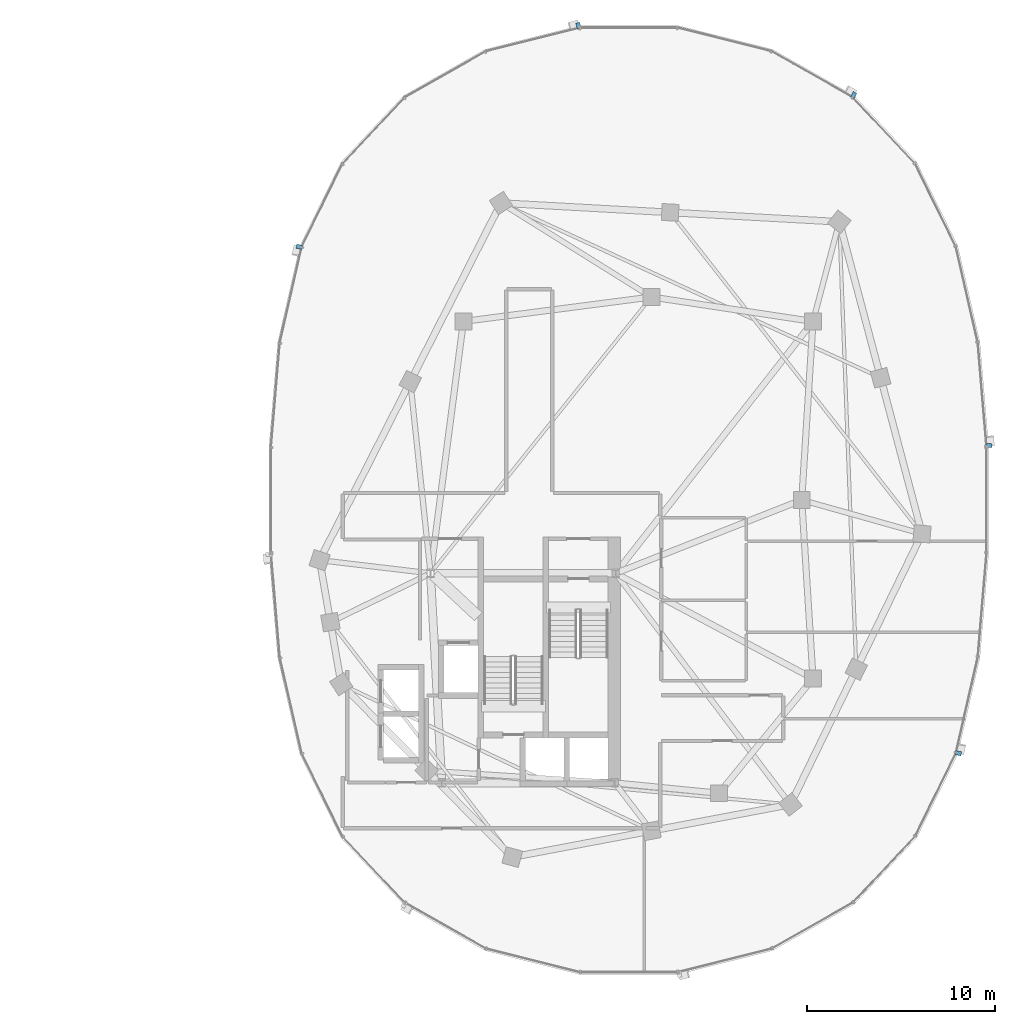
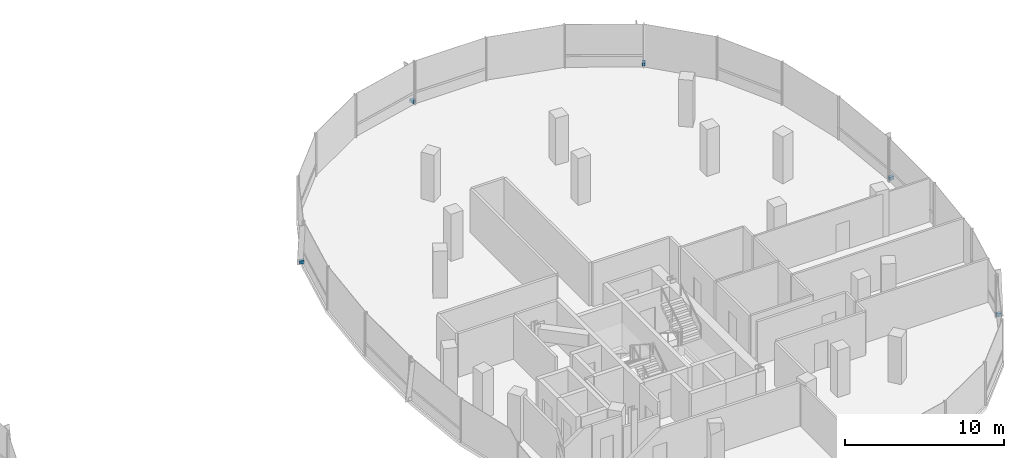
# One storey, part 20 of 25: 5 discrete accessories.
"""IFC4 building model written with IfcOpenShell, lengths in metres."""

from ifc_helpers import new_model, si_unit, direction, frame, origin, origin_2d, place, context, subcontext, project, spatial, rectangle, extrude, material, type_object, element, save


model = new_model("IFC4")

# Units and contexts
model_context = context("Model", 3, precision=1e-05, world=origin(), true_north=direction((0.0, 1.0)))
body_context = subcontext(model_context, "Body", "Model", "MODEL_VIEW")
ifc_project = project(units=[si_unit("LENGTHUNIT", "METRE"), si_unit("AREAUNIT", "SQUARE_METRE"), si_unit("VOLUMEUNIT", "CUBIC_METRE"), si_unit("PLANEANGLEUNIT", "RADIAN"), si_unit("MASSUNIT", "GRAM", prefix="KILO"), si_unit("THERMODYNAMICTEMPERATUREUNIT", "KELVIN"), si_unit("POWERUNIT", "WATT")], contexts=[model_context])

# Site, building, storey
site_placement = place(None, origin())
site = spatial("IfcSite", under=ifc_project, at=site_placement, CompositionType="ELEMENT")
building_placement = place(site_placement, origin())
building = spatial("IfcBuilding", under=site, at=building_placement, Name="Cundina Bronze Exchange", CompositionType="ELEMENT")
storey_placement = place(building_placement, frame((0.0, 0.0, 199.0)))
storey = spatial("IfcBuildingStorey", under=building, at=storey_placement, Name="L52", CompositionType="ELEMENT", Elevation=199.0)

# Discrete accessories
ifc_material = material(Name="Anodised Bronze Aluminium 6063-T6", Category="aluminium")
discrete_accessory_type = type_object("IfcDiscreteAccessoryType", Name="ACC-BRK-FIN", PredefinedType="BRACKET", material=ifc_material)
for number, where, z_axis, x_axis, name in (
    (1, (51.15478515625, 2.893798828125, 0.10009765625), (0.0, 0.0, 1.0), (-0.083747411454, 0.996487015006, 0.0), "L52 Fin Support Bracket 1"),
    (2, (43.961181640625, 21.539794921875, 0.10009765625), (0.0, 0.0, 1.0), (-0.869572506985, 0.493805280547, 0.0), "L52 Fin Support Bracket 5"),
    (3, (29.321044921875, 25.23779296875, 0.10009765625), (0.0, 0.0, 1.0), (-0.969731542251, -0.244173577528, 0.0), "L52 Fin Support Bracket 1"),
    (4, (14.470458984375, 13.468505859375, 0.10009765625), (0.0, 0.0, 1.0), (-0.223284141459, -0.974753400698, 0.0), "L52 Fin Support Bracket 5"),
    (5, (49.529541015625, -13.468505859375, 0.10009765625), (0.0, 0.0, 1.0), (0.223284141459, 0.974753400698, 0.0), "L52 Fin Support Bracket 5"),
):
    element("IfcDiscreteAccessory", number, at=place(storey_placement, frame(where, z_axis=z_axis, x_axis=x_axis)), inside=storey, type_object=discrete_accessory_type, Name=name, PredefinedType="BRACKET", context=body_context, shape_type="SweptSolid", body=[
        extrude(rectangle(XDim=0.219970703125, YDim=0.320068359375, at=origin_2d()), origin(), (0.0, 0.0, 1.0), 0.239990234375),
    ])

save(model, "model.ifc")
